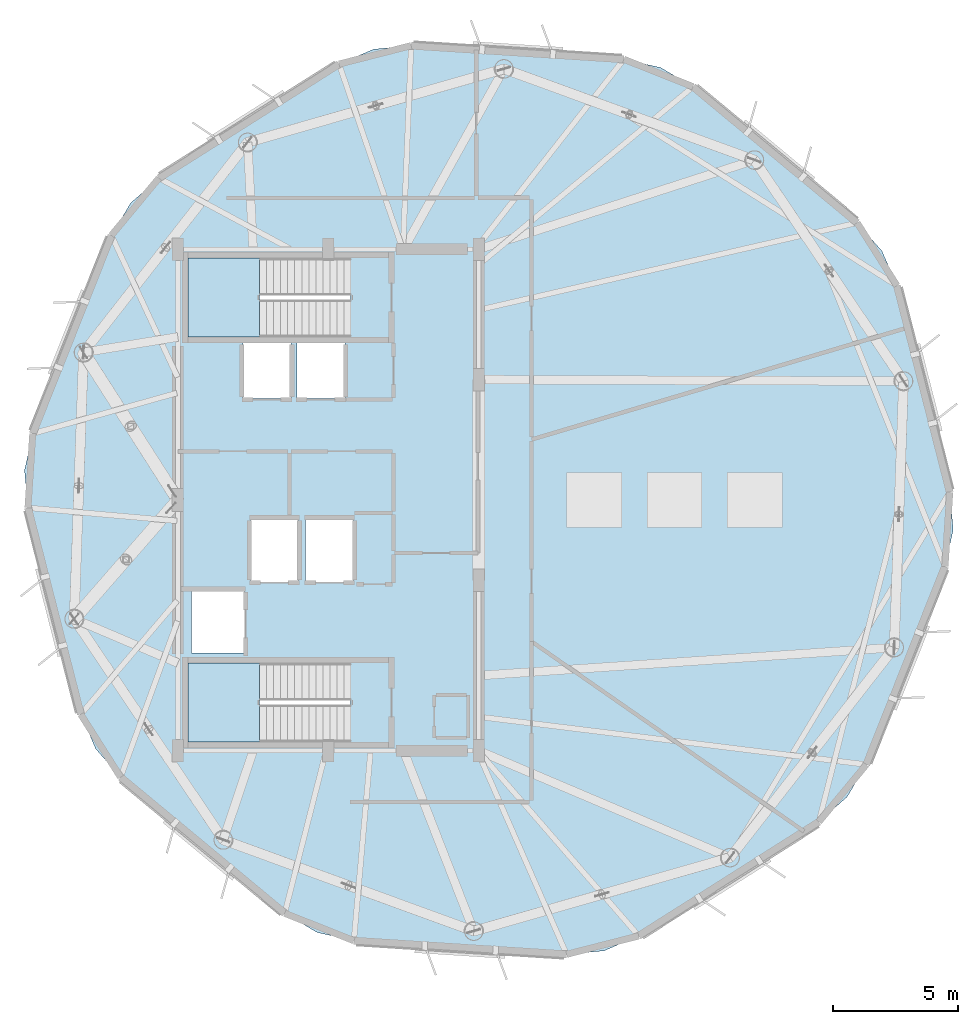
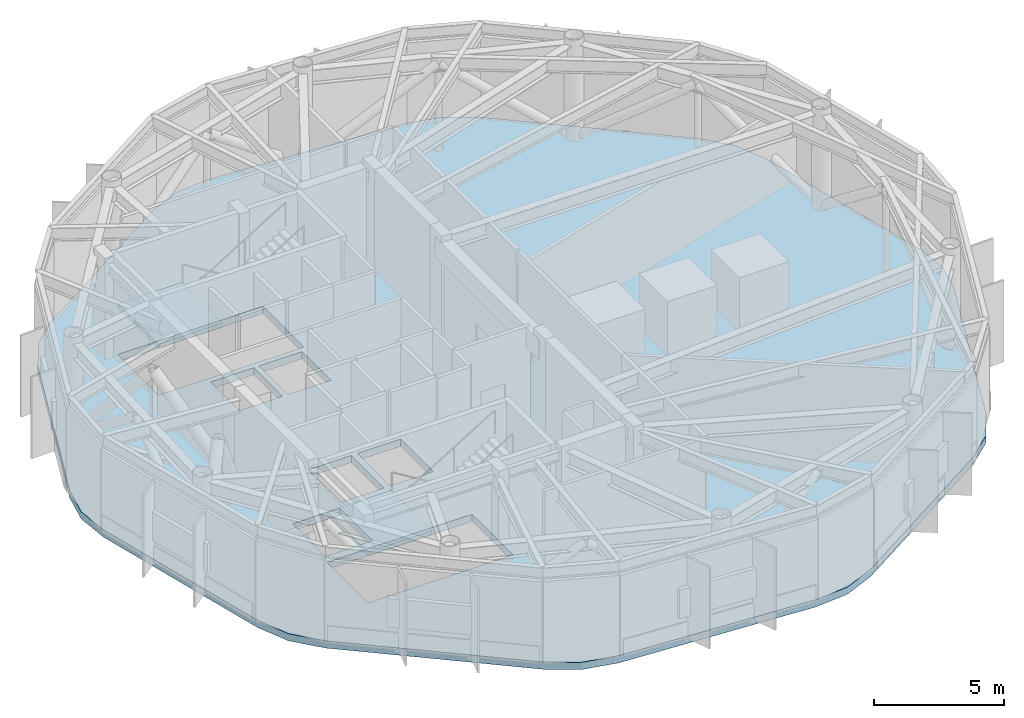
# One storey, part 6 of 14: 3 slabs, 2 elements without a shape of their own.
"""IFC4 building model written with IfcOpenShell, lengths in metres."""

from ifc_helpers import new_model, si_unit, direction, frame, origin, place, context, subcontext, project, spatial, polyline, outline, extrude, material, layer, layer_set, type_object, element, aggregate, save


model = new_model("IFC4")

# Units and contexts
model_context = context("Model", 3, precision=1e-05, world=origin(), true_north=direction((0.0, 1.0)))
body_context = subcontext(model_context, "Body", "Model", "MODEL_VIEW")
ifc_project = project(units=[si_unit("LENGTHUNIT", "METRE"), si_unit("AREAUNIT", "SQUARE_METRE"), si_unit("VOLUMEUNIT", "CUBIC_METRE"), si_unit("PLANEANGLEUNIT", "RADIAN"), si_unit("MASSUNIT", "GRAM", prefix="KILO")], contexts=[model_context])

# Site, building, storey
site_placement = place(None, origin())
site = spatial("IfcSite", under=ifc_project, at=site_placement, CompositionType="ELEMENT")
building_placement = place(site_placement, origin())
building = spatial("IfcBuilding", under=site, at=building_placement, Name="Soratama Intermodal Tower", CompositionType="ELEMENT")
storey_placement = place(building_placement, frame((0.0, 0.0, 283.75)))
storey = spatial("IfcBuildingStorey", under=building, at=storey_placement, Name="L72", CompositionType="ELEMENT", Elevation=283.75)

# Stair, slab
ifc_material_1 = material(Name="Concrete f'c 42 MPa", Category="concrete")
stair_type = type_object("IfcStairType", Name="ST-CORE-DOGLEG", PredefinedType="HALF_TURN_STAIR", material=ifc_material_1)
stair_1_placement = place(storey_placement, origin())
stair_1 = element("IfcStair", 1, at=stair_1_placement, inside=storey, type_object=stair_type, Name="L72 ST-1", PredefinedType="HALF_TURN_STAIR")
ifc_material_2 = material(Name="Concrete f'c 42 MPa", Category="concrete")
ifc_layer_1 = layer(ifc_material_2, 0.219970703125)
ifc_layer_set_1 = layer_set([ifc_layer_1], Name="Concrete f'c 42 MPa")
slab_type_1 = type_object("IfcSlabType", Name="SL-STAIR-LAND", PredefinedType="LANDING", material=ifc_layer_set_1)
slab_1_placement = place(storey_placement, frame((0.0, 0.0, 2.199951171875)))
slab_1 = element("IfcSlab", 2, at=slab_1_placement, type_object=slab_type_1, Name="ST-1 landing 1", PredefinedType="LANDING", context=body_context, shape_type="SweptSolid", body=[
    extrude(outline(polyline([(35.860107421875, 18.5), (33.0, 18.5), (33.0, 15.35009765625), (35.860107421875, 15.35009765625), (35.860107421875, 18.5)])), origin(), (0.0, 0.0, 1.0), 0.199951171875),
])
aggregate(stair_1, [slab_1])

stair_2_placement = place(storey_placement, origin())
stair_2 = element("IfcStair", 3, at=stair_2_placement, inside=storey, type_object=stair_type, Name="L72 ST-2", PredefinedType="HALF_TURN_STAIR")
slab_2_placement = place(storey_placement, frame((0.0, 0.0, 2.199951171875)))
slab_2 = element("IfcSlab", 4, at=slab_2_placement, type_object=slab_type_1, Name="ST-2 landing 1", PredefinedType="LANDING", context=body_context, shape_type="SweptSolid", body=[
    extrude(outline(polyline([(35.860107421875, 34.64990234375), (33.0, 34.64990234375), (33.0, 31.5), (35.860107421875, 31.5), (35.860107421875, 34.64990234375)])), origin(), (0.0, 0.0, 1.0), 0.199951171875),
])
aggregate(stair_2, [slab_2])

# Slab
ifc_material_3 = material(Name="Concrete f'c 42 MPa", Category="concrete")
ifc_layer_2 = layer(ifc_material_3, 0.340087890625)
ifc_layer_set_2 = layer_set([ifc_layer_2], Name="Concrete f'c 42 MPa")
slab_type_2 = type_object("IfcSlabType", Name="SL-TRN-340", PredefinedType="FLOOR", material=ifc_layer_set_2)
slab_3_placement = place(storey_placement, frame((0.0, 0.0, -0.340087890625)))
element("IfcSlab", 5, at=slab_3_placement, inside=storey, type_object=slab_type_2, Name="L72 Structural Floor Slab", PredefinedType="FLOOR", context=body_context, shape_type="SweptSolid", body=[
    extrude(outline(polyline([(53.1396484375, 41.47705078125), (51.847900390625, 42.242919921875), (50.382568359375, 42.572021484375), (41.900146484375, 43.11474609375), (40.40478515625, 42.974853515625), (39.02587890625, 42.3798828125), (31.844482421875, 37.8330078125), (30.717041015625, 36.841064453125), (29.951416015625, 35.54931640625), (26.81396484375, 27.649658203125), (26.48486328125, 26.184326171875), (26.62451171875, 24.689208984375), (28.729736328125, 16.4541015625), (29.32470703125, 15.0751953125), (30.31689453125, 13.94775390625), (36.8603515625, 8.52294921875), (38.152099609375, 7.757080078125), (39.617431640625, 7.427978515625), (48.099853515625, 6.88525390625), (49.59521484375, 7.025146484375), (50.97412109375, 7.6201171875), (58.155517578125, 12.1669921875), (59.282958984375, 13.158935546875), (60.048583984375, 14.45068359375), (63.18603515625, 22.350341796875), (63.51513671875, 23.815673828125), (63.37548828125, 25.310791015625), (61.270263671875, 33.5458984375), (60.67529296875, 34.9248046875), (59.68310546875, 36.05224609375), (53.1396484375, 41.47705078125)]), holes=[polyline([(33.0, 15.35009765625), (39.47509765625, 15.35009765625), (39.47509765625, 18.5), (33.0, 18.5), (33.0, 15.35009765625)]), polyline([(35.260009765625, 21.409912109375), (33.139892578125, 21.409912109375), (33.139892578125, 18.889892578125), (35.260009765625, 18.889892578125), (35.260009765625, 21.409912109375)]), polyline([(37.409912109375, 24.260009765625), (35.489990234375, 24.260009765625), (35.489990234375, 21.739990234375), (37.409912109375, 21.739990234375), (37.409912109375, 24.260009765625)]), polyline([(39.610107421875, 24.260009765625), (37.68994140625, 24.260009765625), (37.68994140625, 21.739990234375), (39.610107421875, 21.739990234375), (39.610107421875, 24.260009765625)]), polyline([(37.110107421875, 31.260009765625), (35.18994140625, 31.260009765625), (35.18994140625, 29.0400390625), (37.110107421875, 29.0400390625), (37.110107421875, 31.260009765625)]), polyline([(39.260009765625, 31.260009765625), (37.340087890625, 31.260009765625), (37.340087890625, 29.0400390625), (39.260009765625, 29.0400390625), (39.260009765625, 31.260009765625)]), polyline([(33.0, 34.64990234375), (33.0, 31.5), (39.47509765625, 31.5), (39.47509765625, 34.64990234375), (33.0, 34.64990234375)])]), origin(), (0.0, 0.0, 1.0), 0.340087890625),
])

save(model, "model.ifc")
